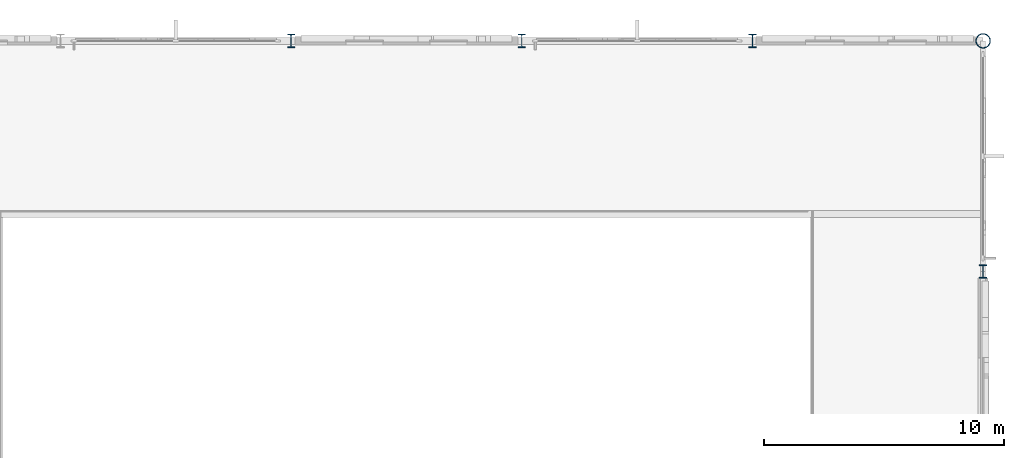
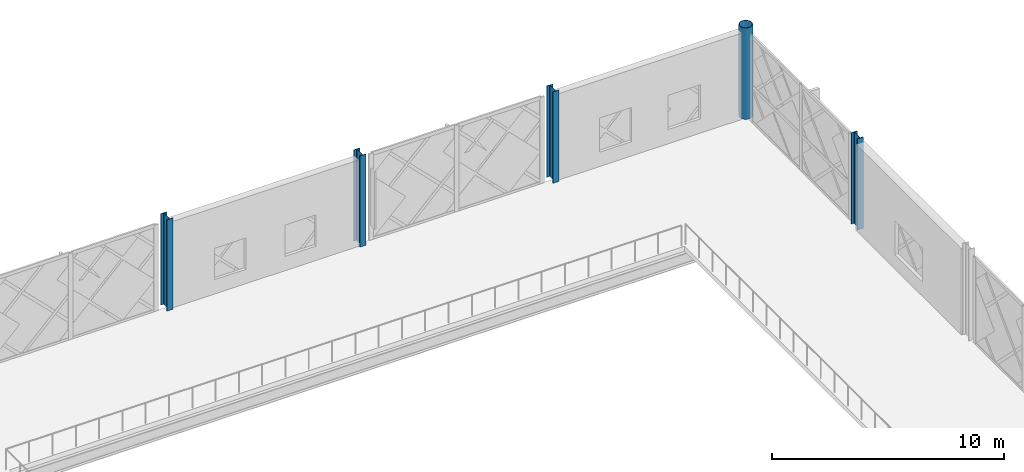
# One storey, part 17 of 77: 5 columns.
"""IFC4 building model written with IfcOpenShell, lengths in metres."""

from ifc_helpers import new_model, si_unit, direction, frame, origin, origin_2d, place, context, subcontext, project, spatial, hollow_circle, i_section, extrude, material, material_profile, profile_set, type_object, element, save


model = new_model("IFC4")

# Units and contexts
model_context = context("Model", 3, precision=1e-05, world=origin(), true_north=direction((0.0, 1.0)))
body_context = subcontext(model_context, "Body", "Model", "MODEL_VIEW")
ifc_project = project(units=[si_unit("LENGTHUNIT", "METRE"), si_unit("AREAUNIT", "SQUARE_METRE"), si_unit("VOLUMEUNIT", "CUBIC_METRE"), si_unit("PLANEANGLEUNIT", "RADIAN"), si_unit("MASSUNIT", "GRAM", prefix="KILO")], contexts=[model_context])

# Site, building, storey
site_placement = place(None, origin())
site = spatial("IfcSite", under=ifc_project, at=site_placement, CompositionType="ELEMENT")
building_placement = place(site_placement, origin())
building = spatial("IfcBuilding", under=site, at=building_placement, Name="Zevrakil Square Congress Hotel", CompositionType="ELEMENT")
storey_placement = place(building_placement, frame((0.0, 0.0, 9.89990234375)))
storey = spatial("IfcBuildingStorey", under=building, at=storey_placement, Name="L03", CompositionType="ELEMENT", Elevation=9.89990234375)

# Columns
ifc_material_1 = material(Name="Steel S355", Category="steel")
ifc_material_profile_1 = material_profile(ifc_material_1, hollow_circle(Radius=0.304931640625, WallThickness=0.02490234375, at=origin_2d()), Name="CHS 610x25")
ifc_profile_set_1 = profile_set([ifc_material_profile_1], Name="Steel S355")
column_type_1 = type_object("IfcColumnType", Name="COL-CHS610", PredefinedType="COLUMN", material=ifc_profile_set_1)
column_placement = place(storey_placement, frame((165.60009765625, 112.800048828125, 0.0), z_axis=(0.0, 0.0, 1.0), x_axis=(1.0, 0.0, 0.0)))
element("IfcColumn", 1, at=column_placement, inside=storey, type_object=column_type_1, Name="L03 column C-240", PredefinedType="COLUMN", context=body_context, shape_type="SweptSolid", body=[
    extrude(hollow_circle(Radius=0.304931640625, WallThickness=0.02490234375, at=origin_2d()), origin(), (0.0, 0.0, 1.0), 4.800048828125),
])
ifc_material_2 = material(Name="Steel S355", Category="steel")
ifc_material_profile_2 = material_profile(ifc_material_2, i_section(OverallWidth=0.300048828125, OverallDepth=0.550048828125, WebThickness=0.014892578125, FlangeThickness=0.029052734375, FilletRadius=0.027099609375, at=origin_2d()), Name="HEB 550")
ifc_profile_set_2 = profile_set([ifc_material_profile_2], Name="Steel S355")
column_type_2 = type_object("IfcColumnType", Name="COL-HEB550", PredefinedType="COLUMN", material=ifc_profile_set_2)
for number, where, z_axis, x_axis, name in (
    (2, (136.800048828125, 112.800048828125, 0.0), (0.0, 0.0, 1.0), (1.0, 0.0, 0.0), "L03 column C-211"),
    (3, (146.39990234375, 112.800048828125, 0.0), (0.0, 0.0, 1.0), (1.0, 0.0, 0.0), "L03 column C-218"),
    (4, (156.0, 112.800048828125, 0.0), (0.0, 0.0, 1.0), (1.0, 0.0, 0.0), "L03 column C-227"),
    (5, (165.60009765625, 103.199951171875, 0.0), (0.0, 0.0, 1.0), (1.0, 0.0, 0.0), "L03 column C-239"),
):
    element("IfcColumn", number, at=place(storey_placement, frame(where, z_axis=z_axis, x_axis=x_axis)), inside=storey, type_object=column_type_2, Name=name, PredefinedType="COLUMN", context=body_context, shape_type="SweptSolid", body=[
        extrude(i_section(OverallWidth=0.300048828125, OverallDepth=0.550048828125, WebThickness=0.014892578125, FlangeThickness=0.029052734375, FilletRadius=0.027099609375, at=origin_2d()), origin(), (0.0, 0.0, 1.0), 4.800048828125),
    ])

save(model, "model.ifc")
